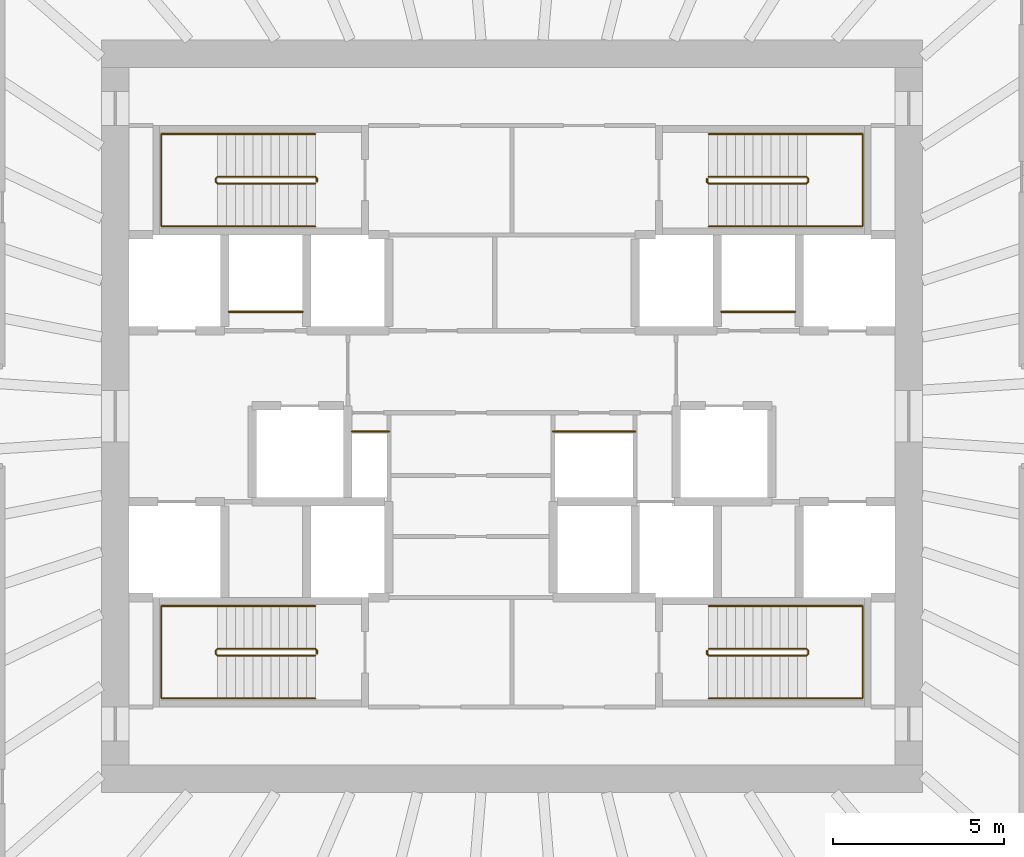
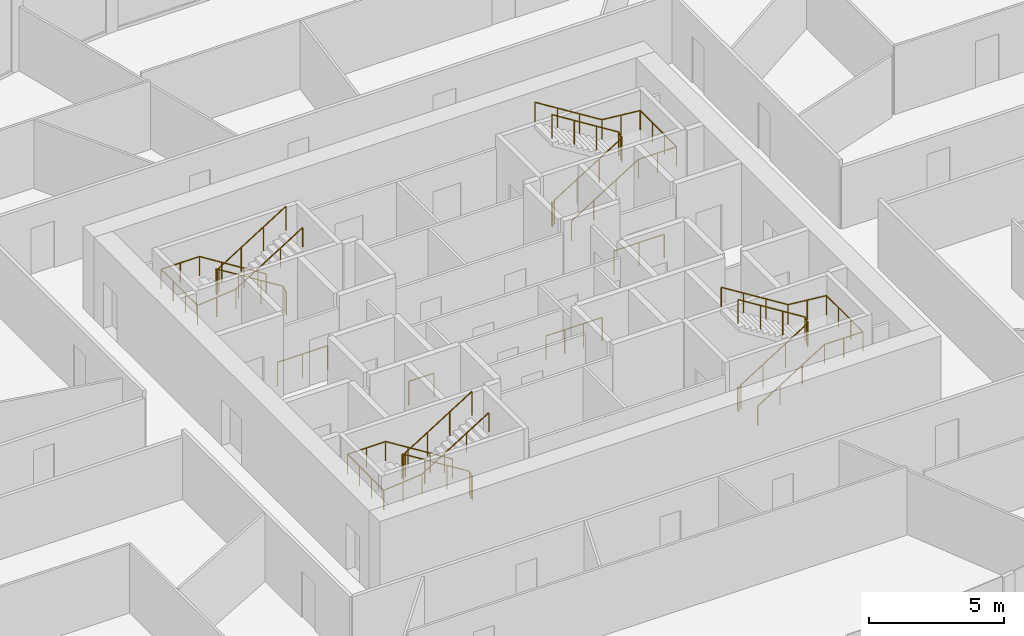
# One storey, part 11 of 11: 12 railings.
"""IFC4 building model written with IfcOpenShell, lengths in metres."""

from ifc_helpers import new_model, si_unit, direction, frame, origin, origin_2d, place, context, subcontext, project, spatial, circle, extrude, source, transform, mapped, material, type_object, element, save


model = new_model("IFC4")

# Units and contexts
model_context = context("Model", 3, precision=1e-05, world=origin(), true_north=direction((0.0, 1.0)))
body_context = subcontext(model_context, "Body", "Model", "MODEL_VIEW")
ifc_project = project(units=[si_unit("LENGTHUNIT", "METRE"), si_unit("AREAUNIT", "SQUARE_METRE"), si_unit("VOLUMEUNIT", "CUBIC_METRE"), si_unit("PLANEANGLEUNIT", "RADIAN"), si_unit("MASSUNIT", "GRAM", prefix="KILO")], contexts=[model_context])

# Site, building, storey
site_placement = place(None, origin())
site = spatial("IfcSite", under=ifc_project, at=site_placement, CompositionType="ELEMENT")
building_placement = place(site_placement, origin())
building = spatial("IfcBuilding", under=site, at=building_placement, Name="Embergate Tower", CompositionType="ELEMENT")
storey_placement = place(building_placement, frame((0.0, 0.0, 226.800048828125)))
storey = spatial("IfcBuildingStorey", under=building, at=storey_placement, Name="L52", CompositionType="ELEMENT", Elevation=226.800048828125)

# Railings
ifc_material_1 = material(Name="Stair guard 1100")
railing_type_1 = type_object("IfcRailingType", Name="Stair guard 1100", PredefinedType="GUARDRAIL", material=ifc_material_1)
shared_shape_1 = source(origin(), body_context, "Body", "SweptSolid", [
    extrude(circle(Radius=0.02392578125, at=origin_2d()), frame((0.0, 0.0, 1.076171875), z_axis=(0.0, 1.0, 0.0), x_axis=(-1.0, 0.0, 0.0)), (0.0, 0.0, 1.0), 0.099853515625),
    extrude(circle(Radius=0.02392578125, at=origin_2d()), frame((0.0, 0.099853515625, 1.076171875), z_axis=(-0.282583949758, 0.282583949758, 0.916674763849), x_axis=(-0.707106781187, -0.707106781187, 0.0)), (0.0, 0.0, 1.0), 0.177001953125),
    extrude(circle(Radius=0.02392578125, at=origin_2d()), frame((-0.050048828125, 0.14990234375, 1.23828125), z_axis=(-0.847994237388, 0.0, 0.530005446535), x_axis=(0.0, -1.0, 0.0)), (0.0, 0.0, 1.0), 3.372802734375),
    extrude(circle(Radius=0.02392578125, at=origin_2d()), frame((-2.91015625, 0.14990234375, 3.02587890625), z_axis=(-0.705375805398, -0.708833529934, 0.0), x_axis=(0.708833529934, -0.705375805398, 0.0)), (0.0, 0.0, 1.0), 0.070556640625),
    extrude(circle(Radius=0.02392578125, at=origin_2d()), frame((-2.9599609375, 0.099853515625, 3.02587890625), z_axis=(0.0, -1.0, 0.0), x_axis=(1.0, 0.0, 0.0)), (0.0, 0.0, 1.0), 0.099853515625),
    extrude(circle(Radius=0.02392578125, at=origin_2d()), frame((-2.9599609375, 0.0, 3.02587890625), z_axis=(0.280959487676, -0.282336740067, 0.917250092119), x_axis=(0.708833529934, 0.705375805398, 0.0)), (0.0, 0.0, 1.0), 0.17724609375),
    extrude(circle(Radius=0.02392578125, at=origin_2d()), frame((-2.91015625, -0.050048828125, 3.1884765625), z_axis=(0.848026770018, 0.0, 0.529953391661), x_axis=(0.0, 1.0, 0.0)), (0.0, 0.0, 1.0), 3.37255859375),
    extrude(circle(Radius=0.02099609375, at=origin_2d()), origin(), (0.0, 0.0, 1.0), 1.052001953125),
    extrude(circle(Radius=0.02099609375, at=origin_2d()), frame((0.0, 0.099853515625, 0.0)), (0.0, 0.0, 1.0), 1.052001953125),
    extrude(circle(Radius=0.02099609375, at=origin_2d()), frame((-0.050048828125, 0.14990234375, 0.162353515625)), (0.0, 0.0, 1.0), 1.052001953125),
    extrude(circle(Radius=0.02099609375, at=origin_2d()), frame((-1.00341796875, 0.14990234375, 0.75830078125)), (0.0, 0.0, 1.0), 1.052001953125),
    extrude(circle(Radius=0.02099609375, at=origin_2d()), frame((-1.956787109375, 0.14990234375, 1.35400390625)), (0.0, 0.0, 1.0), 1.052001953125),
    extrude(circle(Radius=0.02099609375, at=origin_2d()), frame((-2.91015625, 0.14990234375, 1.949951171875)), (0.0, 0.0, 1.0), 1.052001953125),
    extrude(circle(Radius=0.02099609375, at=origin_2d()), frame((-2.9599609375, 0.099853515625, 1.949951171875)), (0.0, 0.0, 1.0), 1.052001953125),
    extrude(circle(Radius=0.02099609375, at=origin_2d()), frame((-2.9599609375, 0.0, 1.949951171875)), (0.0, 0.0, 1.0), 1.052001953125),
    extrude(circle(Radius=0.02099609375, at=origin_2d()), frame((-2.91015625, -0.050048828125, 2.112548828125)), (0.0, 0.0, 1.0), 1.052001953125),
    extrude(circle(Radius=0.02099609375, at=origin_2d()), frame((-1.956787109375, -0.050048828125, 2.708251953125)), (0.0, 0.0, 1.0), 1.052001953125),
    extrude(circle(Radius=0.02099609375, at=origin_2d()), frame((-1.00341796875, -0.050048828125, 3.30419921875)), (0.0, 0.0, 1.0), 1.052001953125),
    extrude(circle(Radius=0.02099609375, at=origin_2d()), frame((-0.050048828125, -0.050048828125, 3.89990234375)), (0.0, 0.0, 1.0), 1.052001953125),
])
for number, where, name in (
    (1, (-5.699951171875, 6.85009765625, 0.0), "L52 ST1 stair guard 1"),
    (2, (-5.699951171875, -6.949951171875, 0.0), "L52 ST3 stair guard 1"),
):
    element("IfcRailing", number, at=place(storey_placement, frame(where)), inside=storey, type_object=railing_type_1, Name=name, PredefinedType="GUARDRAIL", context=body_context, shape_type="MappedRepresentation", body=[
        mapped(shared_shape_1, transform((0.0, 0.0, 0.0))),
    ])
ifc_material_2 = material(Name="Stair handrail 900")
railing_type_2 = type_object("IfcRailingType", Name="Stair handrail 900", PredefinedType="HANDRAIL", material=ifc_material_2)
shared_shape_2 = source(origin(), body_context, "Body", "SweptSolid", [
    extrude(circle(Radius=0.02392578125, at=origin_2d()), frame((0.0, 0.0, 0.8759765625), z_axis=(-0.847994237388, 0.0, 0.530005446535), x_axis=(0.0, -1.0, 0.0)), (0.0, 0.0, 1.0), 3.372802734375),
    extrude(circle(Radius=0.02392578125, at=origin_2d()), frame((-2.860107421875, 0.0, 2.66357421875), z_axis=(-1.0, 0.0, 0.0), x_axis=(0.0, -1.0, 0.0)), (0.0, 0.0, 1.0), 1.639892578125),
    extrude(circle(Radius=0.02392578125, at=origin_2d()), frame((-4.5, 0.0, 2.66357421875), z_axis=(0.0, -1.0, 0.0), x_axis=(1.0, 0.0, 0.0)), (0.0, 0.0, 1.0), 2.699951171875),
    extrude(circle(Radius=0.02392578125, at=origin_2d()), frame((-4.5, -2.699951171875, 2.66357421875), z_axis=(0.995120448088, 0.0, 0.098667592441), x_axis=(0.0, 1.0, 0.0)), (0.0, 0.0, 1.0), 1.64794921875),
    extrude(circle(Radius=0.02392578125, at=origin_2d()), frame((-2.860107421875, -2.699951171875, 2.826171875), z_axis=(0.848026770018, 0.0, 0.529953391661), x_axis=(0.0, 1.0, 0.0)), (0.0, 0.0, 1.0), 3.37255859375),
    extrude(circle(Radius=0.02099609375, at=origin_2d()), origin(), (0.0, 0.0, 1.0), 0.851806640625),
    extrude(circle(Radius=0.02099609375, at=origin_2d()), frame((-0.953369140625, 0.0, 0.595947265625)), (0.0, 0.0, 1.0), 0.851806640625),
    extrude(circle(Radius=0.02099609375, at=origin_2d()), frame((-1.90673828125, 0.0, 1.191650390625)), (0.0, 0.0, 1.0), 0.851806640625),
    extrude(circle(Radius=0.02099609375, at=origin_2d()), frame((-2.860107421875, 0.0, 1.78759765625)), (0.0, 0.0, 1.0), 0.851806640625),
    extrude(circle(Radius=0.02099609375, at=origin_2d()), frame((-3.68017578125, 0.0, 1.78759765625)), (0.0, 0.0, 1.0), 0.851806640625),
    extrude(circle(Radius=0.02099609375, at=origin_2d()), frame((-4.5, 0.0, 1.78759765625)), (0.0, 0.0, 1.0), 0.851806640625),
    extrude(circle(Radius=0.02099609375, at=origin_2d()), frame((-4.5, -0.89990234375, 1.78759765625)), (0.0, 0.0, 1.0), 0.851806640625),
    extrude(circle(Radius=0.02099609375, at=origin_2d()), frame((-4.5, -1.800048828125, 1.78759765625)), (0.0, 0.0, 1.0), 0.851806640625),
    extrude(circle(Radius=0.02099609375, at=origin_2d()), frame((-4.5, -2.699951171875, 1.78759765625)), (0.0, 0.0, 1.0), 0.851806640625),
    extrude(circle(Radius=0.02099609375, at=origin_2d()), frame((-3.68017578125, -2.699951171875, 1.868896484375)), (0.0, 0.0, 1.0), 0.851806640625),
    extrude(circle(Radius=0.02099609375, at=origin_2d()), frame((-2.860107421875, -2.699951171875, 1.9501953125)), (0.0, 0.0, 1.0), 0.851806640625),
    extrude(circle(Radius=0.02099609375, at=origin_2d()), frame((-1.90673828125, -2.699951171875, 2.5458984375)), (0.0, 0.0, 1.0), 0.851806640625),
    extrude(circle(Radius=0.02099609375, at=origin_2d()), frame((-0.953369140625, -2.699951171875, 3.141845703125)), (0.0, 0.0, 1.0), 0.851806640625),
    extrude(circle(Radius=0.02099609375, at=origin_2d()), frame((0.0, -2.699951171875, 3.737548828125)), (0.0, 0.0, 1.0), 0.851806640625),
])
for number, where, name in (
    (3, (-5.75, 8.25, 0.162353515625), "L52 ST1 stair handrail 1"),
    (4, (-5.75, -5.550048828125, 0.162353515625), "L52 ST3 stair handrail 1"),
):
    element("IfcRailing", number, at=place(storey_placement, frame(where)), inside=storey, type_object=railing_type_2, Name=name, PredefinedType="HANDRAIL", context=body_context, shape_type="MappedRepresentation", body=[
        mapped(shared_shape_2, transform((0.0, 0.0, 0.0))),
    ])
shared_shape_3 = source(origin(), body_context, "Body", "SweptSolid", [
    extrude(circle(Radius=0.02392578125, at=origin_2d()), frame((0.0, 0.0, 1.076171875), z_axis=(0.0, -1.0, 0.0), x_axis=(1.0, 0.0, 0.0)), (0.0, 0.0, 1.0), 0.099853515625),
    extrude(circle(Radius=0.02392578125, at=origin_2d()), frame((0.0, -0.099853515625, 1.076171875), z_axis=(0.282583949758, -0.282583949758, 0.916674763849), x_axis=(0.707106781187, 0.707106781187, 0.0)), (0.0, 0.0, 1.0), 0.177001953125),
    extrude(circle(Radius=0.02392578125, at=origin_2d()), frame((0.050048828125, -0.14990234375, 1.23828125), z_axis=(0.847994237388, 0.0, 0.530005446535), x_axis=(0.0, 1.0, 0.0)), (0.0, 0.0, 1.0), 3.372802734375),
    extrude(circle(Radius=0.02392578125, at=origin_2d()), frame((2.91015625, -0.14990234375, 3.02587890625), z_axis=(0.705375805398, 0.708833529934, 0.0), x_axis=(-0.708833529934, 0.705375805398, 0.0)), (0.0, 0.0, 1.0), 0.070556640625),
    extrude(circle(Radius=0.02392578125, at=origin_2d()), frame((2.9599609375, -0.099853515625, 3.02587890625), z_axis=(0.0, 1.0, 0.0), x_axis=(-1.0, 0.0, 0.0)), (0.0, 0.0, 1.0), 0.099853515625),
    extrude(circle(Radius=0.02392578125, at=origin_2d()), frame((2.9599609375, 0.0, 3.02587890625), z_axis=(-0.280959487676, 0.282336740067, 0.917250092119), x_axis=(-0.708833529934, -0.705375805398, 0.0)), (0.0, 0.0, 1.0), 0.17724609375),
    extrude(circle(Radius=0.02392578125, at=origin_2d()), frame((2.91015625, 0.050048828125, 3.1884765625), z_axis=(-0.848026770018, 0.0, 0.529953391661), x_axis=(0.0, -1.0, 0.0)), (0.0, 0.0, 1.0), 3.37255859375),
    extrude(circle(Radius=0.02099609375, at=origin_2d()), origin(), (0.0, 0.0, 1.0), 1.052001953125),
    extrude(circle(Radius=0.02099609375, at=origin_2d()), frame((0.0, -0.099853515625, 0.0)), (0.0, 0.0, 1.0), 1.052001953125),
    extrude(circle(Radius=0.02099609375, at=origin_2d()), frame((0.050048828125, -0.14990234375, 0.162353515625)), (0.0, 0.0, 1.0), 1.052001953125),
    extrude(circle(Radius=0.02099609375, at=origin_2d()), frame((1.00341796875, -0.14990234375, 0.75830078125)), (0.0, 0.0, 1.0), 1.052001953125),
    extrude(circle(Radius=0.02099609375, at=origin_2d()), frame((1.956787109375, -0.14990234375, 1.35400390625)), (0.0, 0.0, 1.0), 1.052001953125),
    extrude(circle(Radius=0.02099609375, at=origin_2d()), frame((2.91015625, -0.14990234375, 1.949951171875)), (0.0, 0.0, 1.0), 1.052001953125),
    extrude(circle(Radius=0.02099609375, at=origin_2d()), frame((2.9599609375, -0.099853515625, 1.949951171875)), (0.0, 0.0, 1.0), 1.052001953125),
    extrude(circle(Radius=0.02099609375, at=origin_2d()), frame((2.9599609375, 0.0, 1.949951171875)), (0.0, 0.0, 1.0), 1.052001953125),
    extrude(circle(Radius=0.02099609375, at=origin_2d()), frame((2.91015625, 0.050048828125, 2.112548828125)), (0.0, 0.0, 1.0), 1.052001953125),
    extrude(circle(Radius=0.02099609375, at=origin_2d()), frame((1.956787109375, 0.050048828125, 2.708251953125)), (0.0, 0.0, 1.0), 1.052001953125),
    extrude(circle(Radius=0.02099609375, at=origin_2d()), frame((1.00341796875, 0.050048828125, 3.30419921875)), (0.0, 0.0, 1.0), 1.052001953125),
    extrude(circle(Radius=0.02099609375, at=origin_2d()), frame((0.050048828125, 0.050048828125, 3.89990234375)), (0.0, 0.0, 1.0), 1.052001953125),
])
for number, where, name in (
    (5, (5.699951171875, 6.949951171875, 0.0), "L52 ST2 stair guard 1"),
    (6, (5.699951171875, -6.85009765625, 0.0), "L52 ST4 stair guard 1"),
):
    element("IfcRailing", number, at=place(storey_placement, frame(where)), inside=storey, type_object=railing_type_1, Name=name, PredefinedType="GUARDRAIL", context=body_context, shape_type="MappedRepresentation", body=[
        mapped(shared_shape_3, transform((0.0, 0.0, 0.0))),
    ])
shared_shape_4 = source(origin(), body_context, "Body", "SweptSolid", [
    extrude(circle(Radius=0.02392578125, at=origin_2d()), frame((0.0, 0.0, 0.8759765625), z_axis=(0.847994237388, 0.0, 0.530005446535), x_axis=(0.0, 1.0, 0.0)), (0.0, 0.0, 1.0), 3.372802734375),
    extrude(circle(Radius=0.02392578125, at=origin_2d()), frame((2.860107421875, 0.0, 2.66357421875), z_axis=(1.0, 0.0, 0.0), x_axis=(0.0, 1.0, 0.0)), (0.0, 0.0, 1.0), 1.639892578125),
    extrude(circle(Radius=0.02392578125, at=origin_2d()), frame((4.5, 0.0, 2.66357421875), z_axis=(0.0, 1.0, 0.0), x_axis=(-1.0, 0.0, 0.0)), (0.0, 0.0, 1.0), 2.699951171875),
    extrude(circle(Radius=0.02392578125, at=origin_2d()), frame((4.5, 2.699951171875, 2.66357421875), z_axis=(-0.995120448088, 0.0, 0.098667592441), x_axis=(0.0, -1.0, 0.0)), (0.0, 0.0, 1.0), 1.64794921875),
    extrude(circle(Radius=0.02392578125, at=origin_2d()), frame((2.860107421875, 2.699951171875, 2.826171875), z_axis=(-0.848026770018, 0.0, 0.529953391661), x_axis=(0.0, -1.0, 0.0)), (0.0, 0.0, 1.0), 3.37255859375),
    extrude(circle(Radius=0.02099609375, at=origin_2d()), origin(), (0.0, 0.0, 1.0), 0.851806640625),
    extrude(circle(Radius=0.02099609375, at=origin_2d()), frame((0.953369140625, 0.0, 0.595947265625)), (0.0, 0.0, 1.0), 0.851806640625),
    extrude(circle(Radius=0.02099609375, at=origin_2d()), frame((1.90673828125, 0.0, 1.191650390625)), (0.0, 0.0, 1.0), 0.851806640625),
    extrude(circle(Radius=0.02099609375, at=origin_2d()), frame((2.860107421875, 0.0, 1.78759765625)), (0.0, 0.0, 1.0), 0.851806640625),
    extrude(circle(Radius=0.02099609375, at=origin_2d()), frame((3.68017578125, 0.0, 1.78759765625)), (0.0, 0.0, 1.0), 0.851806640625),
    extrude(circle(Radius=0.02099609375, at=origin_2d()), frame((4.5, 0.0, 1.78759765625)), (0.0, 0.0, 1.0), 0.851806640625),
    extrude(circle(Radius=0.02099609375, at=origin_2d()), frame((4.5, 0.89990234375, 1.78759765625)), (0.0, 0.0, 1.0), 0.851806640625),
    extrude(circle(Radius=0.02099609375, at=origin_2d()), frame((4.5, 1.800048828125, 1.78759765625)), (0.0, 0.0, 1.0), 0.851806640625),
    extrude(circle(Radius=0.02099609375, at=origin_2d()), frame((4.5, 2.699951171875, 1.78759765625)), (0.0, 0.0, 1.0), 0.851806640625),
    extrude(circle(Radius=0.02099609375, at=origin_2d()), frame((3.68017578125, 2.699951171875, 1.868896484375)), (0.0, 0.0, 1.0), 0.851806640625),
    extrude(circle(Radius=0.02099609375, at=origin_2d()), frame((2.860107421875, 2.699951171875, 1.9501953125)), (0.0, 0.0, 1.0), 0.851806640625),
    extrude(circle(Radius=0.02099609375, at=origin_2d()), frame((1.90673828125, 2.699951171875, 2.5458984375)), (0.0, 0.0, 1.0), 0.851806640625),
    extrude(circle(Radius=0.02099609375, at=origin_2d()), frame((0.953369140625, 2.699951171875, 3.141845703125)), (0.0, 0.0, 1.0), 0.851806640625),
    extrude(circle(Radius=0.02099609375, at=origin_2d()), frame((0.0, 2.699951171875, 3.737548828125)), (0.0, 0.0, 1.0), 0.851806640625),
])
for number, where, name in (
    (7, (5.75, 5.550048828125, 0.162353515625), "L52 ST2 stair handrail 1"),
    (8, (5.75, -8.25, 0.162353515625), "L52 ST4 stair handrail 1"),
):
    element("IfcRailing", number, at=place(storey_placement, frame(where)), inside=storey, type_object=railing_type_2, Name=name, PredefinedType="HANDRAIL", context=body_context, shape_type="MappedRepresentation", body=[
        mapped(shared_shape_4, transform((0.0, 0.0, 0.0))),
    ])
ifc_material_3 = material(Name="Opening guard 1100")
railing_type_3 = type_object("IfcRailingType", Name="Opening guard 1100", PredefinedType="GUARDRAIL", material=ifc_material_3)
shared_shape_5 = source(origin(), body_context, "Body", "SweptSolid", [
    extrude(circle(Radius=0.02392578125, at=origin_2d()), frame((0.0, 0.0, 1.076171875), z_axis=(1.0, 0.0, 0.0), x_axis=(0.0, 1.0, 0.0)), (0.0, 0.0, 1.0), 2.14990234375),
    extrude(circle(Radius=0.02099609375, at=origin_2d()), origin(), (0.0, 0.0, 1.0), 1.052001953125),
    extrude(circle(Radius=0.02099609375, at=origin_2d()), frame((1.074951171875, 0.0, 0.0)), (0.0, 0.0, 1.0), 1.052001953125),
    extrude(circle(Radius=0.02099609375, at=origin_2d()), frame((2.14990234375, 0.0, 0.0)), (0.0, 0.0, 1.0), 1.052001953125),
])
for number, where, name in (
    (9, (-8.27490234375, 3.050048828125, 0.0), "Riser opening guard"),
    (10, (6.125, 3.050048828125, 0.0), "Riser opening guard"),
):
    element("IfcRailing", number, at=place(storey_placement, frame(where)), inside=storey, type_object=railing_type_3, Name=name, PredefinedType="GUARDRAIL", context=body_context, shape_type="MappedRepresentation", body=[
        mapped(shared_shape_5, transform((0.0, 0.0, 0.0))),
    ])
shared_shape_6 = source(origin(), body_context, "Body", "SweptSolid", [
    extrude(circle(Radius=0.02392578125, at=origin_2d()), frame((0.0, 0.0, 1.076171875), z_axis=(1.0, 0.0, 0.0), x_axis=(0.0, 1.0, 0.0)), (0.0, 0.0, 1.0), 1.074951171875),
    extrude(circle(Radius=0.02099609375, at=origin_2d()), origin(), (0.0, 0.0, 1.0), 1.052001953125),
    extrude(circle(Radius=0.02099609375, at=origin_2d()), frame((1.074951171875, 0.0, 0.0)), (0.0, 0.0, 1.0), 1.052001953125),
])
railing_1_placement = place(storey_placement, frame((-4.675048828125, -0.449951171875, 0.0)))
element("IfcRailing", 11, at=railing_1_placement, inside=storey, type_object=railing_type_3, Name="Riser opening guard", PredefinedType="GUARDRAIL", context=body_context, shape_type="MappedRepresentation", body=[
    mapped(shared_shape_6, transform((0.0, 0.0, 0.0))),
])
shared_shape_7 = source(origin(), body_context, "Body", "SweptSolid", [
    extrude(circle(Radius=0.02392578125, at=origin_2d()), frame((0.0, 0.0, 1.076171875), z_axis=(1.0, 0.0, 0.0), x_axis=(0.0, 1.0, 0.0)), (0.0, 0.0, 1.0), 2.400146484375),
    extrude(circle(Radius=0.02099609375, at=origin_2d()), origin(), (0.0, 0.0, 1.0), 1.052001953125),
    extrude(circle(Radius=0.02099609375, at=origin_2d()), frame((0.800048828125, 0.0, 0.0)), (0.0, 0.0, 1.0), 1.052001953125),
    extrude(circle(Radius=0.02099609375, at=origin_2d()), frame((1.60009765625, 0.0, 0.0)), (0.0, 0.0, 1.0), 1.052001953125),
    extrude(circle(Radius=0.02099609375, at=origin_2d()), frame((2.400146484375, 0.0, 0.0)), (0.0, 0.0, 1.0), 1.052001953125),
])
railing_2_placement = place(storey_placement, frame((1.199951171875, -0.449951171875, 0.0)))
element("IfcRailing", 12, at=railing_2_placement, inside=storey, type_object=railing_type_3, Name="Riser opening guard", PredefinedType="GUARDRAIL", context=body_context, shape_type="MappedRepresentation", body=[
    mapped(shared_shape_7, transform((0.0, 0.0, 0.0))),
])

save(model, "model.ifc")
